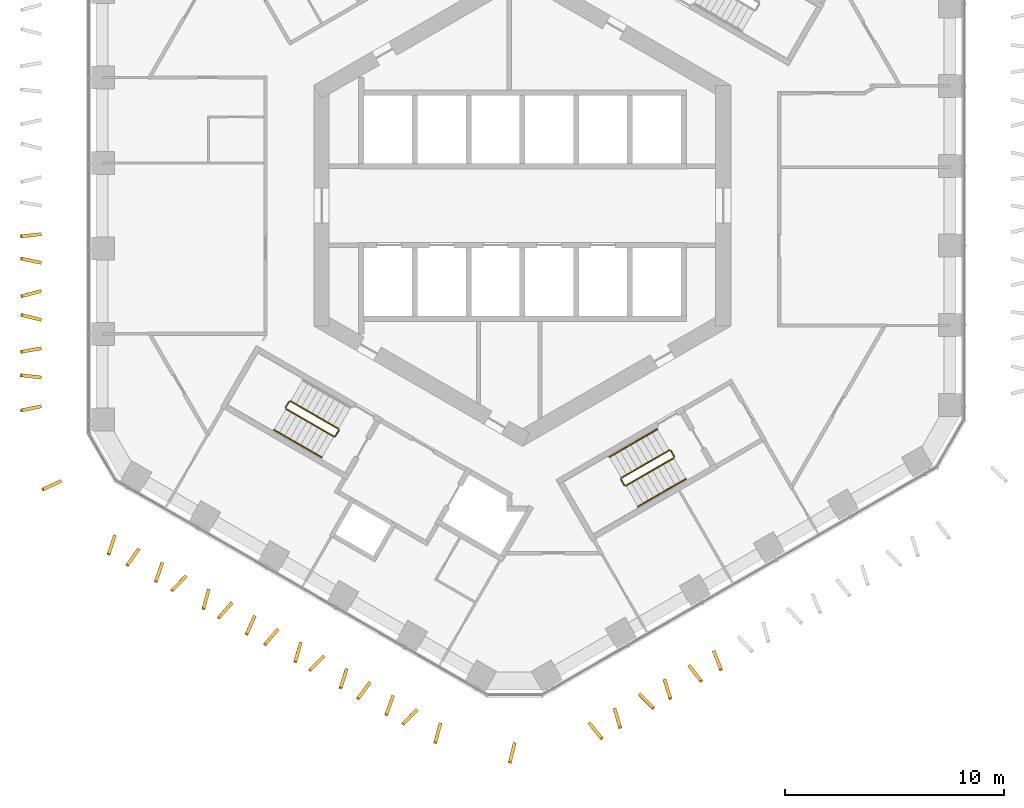
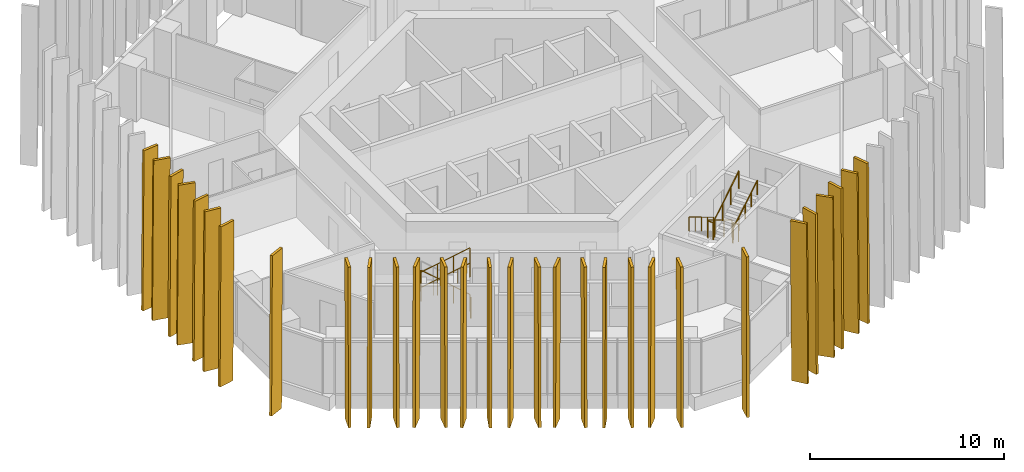
# One storey, part 17 of 19: 30 shading devices, 14 railings.
"""IFC4 building model written with IfcOpenShell, lengths in metres."""

from ifc_helpers import new_model, si_unit, direction, frame, origin, origin_2d, place, context, subcontext, project, spatial, polyline, circle, outline, extrude, material, layer, layer_set, type_object, element, save


model = new_model("IFC4")

# Units and contexts
model_context = context("Model", 3, precision=1e-05, world=origin(), true_north=direction((0.0, 1.0)))
body_context = subcontext(model_context, "Body", "Model", "MODEL_VIEW")
ifc_project = project(units=[si_unit("LENGTHUNIT", "METRE"), si_unit("AREAUNIT", "SQUARE_METRE"), si_unit("VOLUMEUNIT", "CUBIC_METRE"), si_unit("PLANEANGLEUNIT", "RADIAN"), si_unit("MASSUNIT", "GRAM", prefix="KILO")], contexts=[model_context])

# Site, building, storey
site_placement = place(None, origin())
site = spatial("IfcSite", under=ifc_project, at=site_placement, CompositionType="ELEMENT")
building_placement = place(site_placement, origin())
building = spatial("IfcBuilding", under=site, at=building_placement, Name="Ayvan Gate Tower", CompositionType="ELEMENT")
storey_placement = place(building_placement, frame((0.0, 0.0, 103.5)))
storey = spatial("IfcBuildingStorey", under=building, at=storey_placement, Name="L27", CompositionType="ELEMENT", Elevation=103.5)

# Shading devices
ifc_material_1 = material(Name="Bronze anodised aluminium", Category="aluminium")
ifc_layer = layer(ifc_material_1, 0.14990234375)
ifc_layer_set = layer_set([ifc_layer], Name="Bronze anodised aluminium")
shading_device_type = type_object("IfcShadingDeviceType", Name="Bronze fin 900 x 150", PredefinedType="USERDEFINED", material=ifc_layer_set)
shading_device_1_placement = place(storey_placement, frame((-21.99365234375, -1.227783203125, 0.0), z_axis=(-0.112024119388, 0.993705475492, 0.00015700969), x_axis=(-0.993705487741, -0.112024120769, -2.385e-09)))
element("IfcShadingDevice", 1, at=shading_device_1_placement, inside=storey, type_object=shading_device_type, Name="Bronze fin FG09.3.25", ObjectType="FIN", PredefinedType="USERDEFINED", context=body_context, shape_type="SweptSolid", body=[
    extrude(outline(polyline([(0.0, 0.0), (0.9001960129295483, 0.0), (0.8293723772913518, 10.080078251225418), (-0.07058103175935347, 10.080078246931839), (0.0, 0.0)])), origin(), (0.0, 0.0, -1.0), 0.14990234375),
])
shading_device_2_placement = place(storey_placement, frame((-21.969482421875, -2.517822265625, 0.0), z_axis=(0.205600362684, 0.978636027127, 0.000131428965), x_axis=(-0.978636035579, 0.205600364459, 0.0)))
element("IfcShadingDevice", 2, at=shading_device_2_placement, inside=storey, type_object=shading_device_type, Name="Bronze fin FG09.3.26", ObjectType="FIN", PredefinedType="USERDEFINED", context=body_context, shape_type="SweptSolid", body=[
    extrude(outline(polyline([(0.0, 0.0), (0.9000888409741108, 0.0), (0.8292104176931605, 10.080078212059483), (-0.07087842328095026, 10.080078212059483), (0.0, 0.0)])), origin(), (0.0, 0.0, -1.0), 0.14990234375),
])
shading_device_3_placement = place(storey_placement, frame((-22.003662109375, -3.83154296875, 0.0), z_axis=(-0.25553464996, 0.966799885835, 0.000153031851), x_axis=(-0.966799897156, -0.255534652952, 0.0)))
element("IfcShadingDevice", 3, at=shading_device_3_placement, inside=storey, type_object=shading_device_type, Name="Bronze fin FG09.3.27", ObjectType="FIN", PredefinedType="USERDEFINED", context=body_context, shape_type="SweptSolid", body=[
    extrude(outline(polyline([(0.0, 0.0), (0.8999971866563695, 1.3552527156068805e-20), (0.8291930051625447, 10.080078243031403), (-0.07080418149382472, 10.080078243031403), (0.0, 0.0)])), origin(), (0.0, 0.0, -1.0), 0.14990234375),
])
shading_device_4_placement = place(storey_placement, frame((-21.96630859375, -5.114501953125, 0.0), z_axis=(0.244258460062, 0.969710155159, 0.000140245545), x_axis=(-0.969710164697, 0.244258462461, 1.8445e-08)))
element("IfcShadingDevice", 4, at=shading_device_4_placement, inside=storey, type_object=shading_device_type, Name="Bronze fin FG09.3.28", ObjectType="FIN", PredefinedType="USERDEFINED", context=body_context, shape_type="SweptSolid", body=[
    extrude(outline(polyline([(0.0, 0.0), (0.9000357556166412, -3.3881317890172014e-21), (0.8292150213148057, 10.080078208836623), (-0.0708803677155223, 10.080078242040244), (0.0, 0.0)])), origin(), (0.0, 0.0, -1.0), 0.14990234375),
])
shading_device_5_placement = place(storey_placement, frame((-21.998291015625, -6.43603515625, 0.0), z_axis=(-0.175100531287, 0.984550547337, 0.000153889819), x_axis=(-0.984550558995, -0.175100533358, -1.6898e-08)))
element("IfcShadingDevice", 5, at=shading_device_5_placement, inside=storey, type_object=shading_device_type, Name="Bronze fin FG09.3.29", ObjectType="FIN", PredefinedType="USERDEFINED", context=body_context, shape_type="SweptSolid", body=[
    extrude(outline(polyline([(0.0, 0.0), (0.8998715387230125, -3.3881317890172014e-21), (0.8292449320297457, 10.080078258370987), (-0.07090972463573583, 10.080078227954553), (0.0, 0.0)])), origin(), (0.0, 0.0, -1.0), 0.14990234375),
])
shading_device_6_placement = place(storey_placement, frame((-21.97705078125, -7.7470703125, 0.0), z_axis=(0.111220487404, 0.993795745376, 0.000140194444), x_axis=(-0.993795755142, 0.111220488497, -2.115e-09)))
element("IfcShadingDevice", 6, at=shading_device_6_placement, inside=storey, type_object=shading_device_type, Name="Bronze fin FG09.3.30", ObjectType="FIN", PredefinedType="USERDEFINED", context=body_context, shape_type="SweptSolid", body=[
    extrude(outline(polyline([(0.0, 0.0), (0.899871643400718, 0.0), (0.8292061532591716, 10.08007822581327), (-0.07090811605832925, 10.080078222005996), (0.0, 0.0)])), origin(), (0.0, 0.0, -1.0), 0.14990234375),
])
shading_device_7_placement = place(storey_placement, frame((-22.000244140625, -9.07861328125, 0.0), z_axis=(-0.206119825045, 0.978526748371, 0.000142988416), x_axis=(-0.978526758374, -0.206119827152, 0.0)))
element("IfcShadingDevice", 7, at=shading_device_7_placement, inside=storey, type_object=shading_device_type, Name="Bronze fin FG09.3.31", ObjectType="FIN", PredefinedType="USERDEFINED", context=body_context, shape_type="SweptSolid", body=[
    extrude(outline(polyline([(0.0, 0.0), (0.900189358606097, -3.3881317890172014e-21), (0.8293859902460069, 10.080078228047064), (-0.07080336836009007, 10.080078228047064), (0.0, 0.0)])), origin(), (0.0, 0.0, -1.0), 0.14990234375),
])
shading_device_8_placement = place(storey_placement, frame((-21.097412109375, -12.502197265625, 0.0), z_axis=(-0.413813158986, 0.910361823374, 0.000141393904), x_axis=(-0.910361832476, -0.41381316312, -1.7459e-08)))
element("IfcShadingDevice", 8, at=shading_device_8_placement, inside=storey, type_object=shading_device_type, Name="Bronze fin FG09.4.32", ObjectType="FIN", PredefinedType="USERDEFINED", context=body_context, shape_type="SweptSolid", body=[
    extrude(outline(polyline([(0.0, 0.0), (0.8999607869986923, 6.776263578034403e-21), (0.8293231725208962, 10.080078240241201), (-0.07073864308207349, 10.08007820881375), (0.0, 0.0)])), origin(), (0.0, 0.0, -1.0), 0.14990234375),
])
shading_device_9_placement = place(storey_placement, frame((-18.653564453125, -15.044677734375, 0.0), z_axis=(-0.94787994933, 0.318627647535, 0.000154544353), x_axis=(-0.318627651343, -0.947879960649, -1.987e-08)))
element("IfcShadingDevice", 9, at=shading_device_9_placement, inside=storey, type_object=shading_device_type, Name="Bronze fin FG09.5.33", ObjectType="FIN", PredefinedType="USERDEFINED", context=body_context, shape_type="SweptSolid", body=[
    extrude(outline(polyline([(0.0, 0.0), (0.8999707209069985, 0.0), (0.8290927455372965, 10.080078261849783), (-0.07080018541576093, 10.080078226087291), (0.0, 0.0)])), origin(), (0.0, 0.0, -1.0), 0.14990234375),
])
shading_device_10_placement = place(storey_placement, frame((-17.5703125, -15.64501953125, 0.0), z_axis=(-0.812200130925, 0.583378884954, 0.000154645939), x_axis=(-0.583378891928, -0.812200140638, 1.7038e-08)))
element("IfcShadingDevice", 10, at=shading_device_10_placement, inside=storey, type_object=shading_device_type, Name="Bronze fin FG09.5.34", ObjectType="FIN", PredefinedType="USERDEFINED", context=body_context, shape_type="SweptSolid", body=[
    extrude(outline(polyline([(0.0, 0.0), (0.8999003512490824, 0.0), (0.8291147906141006, 10.080078231407974), (-0.07092798712226887, 10.080078262075306), (0.0, 0.0)])), origin(), (0.0, 0.0, -1.0), 0.14990234375),
])
shading_device_11_placement = place(storey_placement, frame((-16.490966796875, -16.29248046875, 0.0), z_axis=(-0.943928107383, 0.330151029368, 0.000160934472), x_axis=(-0.330151033644, -0.943928119606, -7.208e-09)))
element("IfcShadingDevice", 11, at=shading_device_11_placement, inside=storey, type_object=shading_device_type, Name="Bronze fin FG09.5.35", ObjectType="FIN", PredefinedType="USERDEFINED", context=body_context, shape_type="SweptSolid", body=[
    extrude(outline(polyline([(0.0, 0.0), (0.8998339199354596, 0.0), (0.8291600372583887, 10.080078261513046), (-0.07090433387814665, 10.080078248539538), (0.0, 0.0)])), origin(), (0.0, 0.0, -1.0), 0.14990234375),
])
shading_device_12_placement = place(storey_placement, frame((-15.420654296875, -16.8720703125, 0.0), z_axis=(-0.71425893742, 0.699881526222, 0.000139886897), x_axis=(-0.69988153307, -0.714258944408, 0.0)))
element("IfcShadingDevice", 12, at=shading_device_12_placement, inside=storey, type_object=shading_device_type, Name="Bronze fin FG09.5.36", ObjectType="FIN", PredefinedType="USERDEFINED", context=body_context, shape_type="SweptSolid", body=[
    extrude(outline(polyline([(0.0, 0.0), (0.8999849013545551, 0.0), (0.8292158478730067, 10.080078223625222), (-0.07076905348154848, 10.080078223625222), (0.0, 0.0)])), origin(), (0.0, 0.0, -1.0), 0.14990234375),
])
shading_device_13_placement = place(storey_placement, frame((-14.378173828125, -17.517333984375, 0.0), z_axis=(-0.964248712916, 0.26499887272, 0.000130757311), x_axis=(-0.264998874985, -0.964248721159, 0.0)))
element("IfcShadingDevice", 13, at=shading_device_13_placement, inside=storey, type_object=shading_device_type, Name="Bronze fin FG09.5.37", ObjectType="FIN", PredefinedType="USERDEFINED", context=body_context, shape_type="SweptSolid", body=[
    extrude(outline(polyline([(0.0, 0.0), (0.9000996349073335, 3.3881317890172014e-21), (0.8293498662962591, 10.08007821117194), (-0.07074976861107447, 10.08007821117194), (0.0, 0.0)])), origin(), (0.0, 0.0, -1.0), 0.14990234375),
])
shading_device_14_placement = place(storey_placement, frame((-13.326904296875, -18.0859375, 0.0), z_axis=(-0.750767321871, 0.660566731257, 0.000148212506), x_axis=(-0.660566738514, -0.750767330115, -1.3281e-08)))
element("IfcShadingDevice", 14, at=shading_device_14_placement, inside=storey, type_object=shading_device_type, Name="Bronze fin FG09.5.38", ObjectType="FIN", PredefinedType="USERDEFINED", context=body_context, shape_type="SweptSolid", body=[
    extrude(outline(polyline([(0.0, 0.0), (0.899866506521383, 0.0), (0.8292158545651408, 10.080078246727158), (-0.0708339447614461, 10.08007822282232), (0.0, 0.0)])), origin(), (0.0, 0.0, -1.0), 0.14990234375),
])
shading_device_15_placement = place(storey_placement, frame((-12.28369140625, -18.71435546875, 0.0), z_axis=(-0.912012833251, 0.410161631135, 0.000168315695), x_axis=(-0.410161636945, -0.91201284617, 0.0)))
element("IfcShadingDevice", 15, at=shading_device_15_placement, inside=storey, type_object=shading_device_type, Name="Bronze fin FG09.5.39", ObjectType="FIN", PredefinedType="USERDEFINED", context=body_context, shape_type="SweptSolid", body=[
    extrude(outline(polyline([(0.0, 0.0), (0.8999881796590448, 0.0), (0.829356940042731, 10.080078267785183), (-0.0706312396163139, 10.080078267785183), (0.0, 0.0)])), origin(), (0.0, 0.0, -1.0), 0.14990234375),
])
shading_device_16_placement = place(storey_placement, frame((-11.232177734375, -19.296630859375, 0.0), z_axis=(-0.76065270094, 0.649159027585, 0.000159552929), x_axis=(-0.649159035848, -0.760652710622, 0.0)))
element("IfcShadingDevice", 16, at=shading_device_16_placement, inside=storey, type_object=shading_device_type, Name="Bronze fin FG09.5.40", ObjectType="FIN", PredefinedType="USERDEFINED", context=body_context, shape_type="SweptSolid", body=[
    extrude(outline(polyline([(0.0, 0.0), (0.8999774837326424, 0.0), (0.8292771225478132, 10.080078253304967), (-0.07070036118482921, 10.080078253304967), (0.0, 0.0)])), origin(), (0.0, 0.0, -1.0), 0.14990234375),
])
shading_device_17_placement = place(storey_placement, frame((-10.18798828125, -19.936279296875, 0.0), z_axis=(-0.962616674845, 0.270867338265, 0.000149569431), x_axis=(-0.270867341293, -0.962616685613, 1.4036e-08)))
element("IfcShadingDevice", 17, at=shading_device_17_placement, inside=storey, type_object=shading_device_type, Name="Bronze fin FG09.5.41", ObjectType="FIN", PredefinedType="USERDEFINED", context=body_context, shape_type="SweptSolid", body=[
    extrude(outline(polyline([(0.0, 0.0), (0.8998265642494869, 6.776263578034403e-21), (0.8291729756103798, 10.080078226112533), (-0.07095473220036334, 10.080078251376662), (0.0, 0.0)])), origin(), (0.0, 0.0, -1.0), 0.14990234375),
])
shading_device_18_placement = place(storey_placement, frame((-9.134765625, -20.500732421875, 0.0), z_axis=(-0.710421863376, 0.70377606893, 0.000144356534), x_axis=(-0.703776076265, -0.710421870776, -1.3908e-08)))
element("IfcShadingDevice", 18, at=shading_device_18_placement, inside=storey, type_object=shading_device_type, Name="Bronze fin FG09.5.42", ObjectType="FIN", PredefinedType="USERDEFINED", context=body_context, shape_type="SweptSolid", body=[
    extrude(outline(polyline([(0.0, 0.0), (0.9001205560230299, -1.3552527156068805e-20), (0.8291745130380924, 10.080078241560507), (-0.07077422265381807, 10.080078216525289), (0.0, 0.0)])), origin(), (0.0, 0.0, -1.0), 0.14990234375),
])
shading_device_19_placement = place(storey_placement, frame((-8.093017578125, -21.14208984375, 0.0), z_axis=(-0.949116400041, 0.314925447399, 0.000147491854), x_axis=(-0.314925450824, -0.949116410365, 0.0)))
element("IfcShadingDevice", 19, at=shading_device_19_placement, inside=storey, type_object=shading_device_type, Name="Bronze fin FG09.5.43", ObjectType="FIN", PredefinedType="USERDEFINED", context=body_context, shape_type="SweptSolid", body=[
    extrude(outline(polyline([(0.0, 0.0), (0.9000455977227162, -6.776263578034403e-21), (0.8293286668732406, 10.08007823464024), (-0.07071693084947557, 10.08007823464024), (0.0, 0.0)])), origin(), (0.0, 0.0, -1.0), 0.14990234375),
])
shading_device_20_placement = place(storey_placement, frame((-7.04345703125, -21.721923828125, 0.0), z_axis=(-0.807361289611, 0.590057394121, 0.000140290858), x_axis=(-0.590057399927, -0.807361297556, 0.0)))
element("IfcShadingDevice", 20, at=shading_device_20_placement, inside=storey, type_object=shading_device_type, Name="Bronze fin FG09.5.44", ObjectType="FIN", PredefinedType="USERDEFINED", context=body_context, shape_type="SweptSolid", body=[
    extrude(outline(polyline([(0.0, 0.0), (0.8999223794843823, -1.3552527156068805e-20), (0.8290360117786688, 10.080078224195656), (-0.07088636770571341, 10.080078224195656), (0.0, 0.0)])), origin(), (0.0, 0.0, -1.0), 0.14990234375),
])
shading_device_21_placement = place(storey_placement, frame((-5.981201171875, -22.359375, 0.0), z_axis=(-0.941046371485, 0.338277551237, 0.0001582514), x_axis=(-0.338277555473, -0.941046383269, 0.0)))
element("IfcShadingDevice", 21, at=shading_device_21_placement, inside=storey, type_object=shading_device_type, Name="Bronze fin FG09.5.45", ObjectType="FIN", PredefinedType="USERDEFINED", context=body_context, shape_type="SweptSolid", body=[
    extrude(outline(polyline([(0.0, 0.0), (0.899980960750526, -6.776263578034403e-21), (0.8293600161089838, 10.080078251220248), (-0.07062094464154234, 10.080078251220248), (0.0, 0.0)])), origin(), (0.0, 0.0, -1.0), 0.14990234375),
])
shading_device_22_placement = place(storey_placement, frame((-4.89453125, -22.94970703125, 0.0), z_axis=(-0.716337354729, 0.69775409065, 0.000152317259), x_axis=(-0.697754098743, -0.71633736304, 1.4415e-08)))
element("IfcShadingDevice", 22, at=shading_device_22_placement, inside=storey, type_object=shading_device_type, Name="Bronze fin FG09.5.46", ObjectType="FIN", PredefinedType="USERDEFINED", context=body_context, shape_type="SweptSolid", body=[
    extrude(outline(polyline([(0.0, 0.0), (0.9000172162490438, 0.0), (0.8290779278362456, 10.080078229980618), (-0.07076440136127486, 10.08007825592536), (0.0, 0.0)])), origin(), (0.0, 0.0, -1.0), 0.14990234375),
])
shading_device_23_placement = place(storey_placement, frame((-3.818359375, -23.6142578125, 0.0), z_axis=(-0.964569471997, 0.263828944316, 0.000147757713), x_axis=(-0.2638289472, -0.964569482525, -2.4623e-08)))
element("IfcShadingDevice", 23, at=shading_device_23_placement, inside=storey, type_object=shading_device_type, Name="Bronze fin FG09.5.47", ObjectType="FIN", PredefinedType="USERDEFINED", context=body_context, shape_type="SweptSolid", body=[
    extrude(outline(polyline([(0.0, 0.0), (0.8998413271492762, 0.0), (0.8290285499577037, 10.080078255448681), (-0.07098385642382969, 10.08007821113164), (0.0, 0.0)])), origin(), (0.0, 0.0, -1.0), 0.14990234375),
])
shading_device_24_placement = place(storey_placement, frame((-0.436279296875, -24.510498046875, 0.0), z_axis=(-0.970571905716, 0.240811452704, 0.000141711202), x_axis=(-0.240811455125, -0.970571915461, -1.8659e-08)))
element("IfcShadingDevice", 24, at=shading_device_24_placement, inside=storey, type_object=shading_device_type, Name="Bronze fin FG09.6.48", ObjectType="FIN", PredefinedType="USERDEFINED", context=body_context, shape_type="SweptSolid", body=[
    extrude(outline(polyline([(0.0, 0.0), (0.8997989047248666, 0.0), (0.8289828458074738, 10.080078241682676), (-0.0707572670582314, 10.080078208104448), (0.0, 0.0)])), origin(), (0.0, 0.0, -1.0), 0.14990234375),
])
shading_device_25_placement = place(storey_placement, frame((3.01806640625, -23.6572265625, 0.0), z_axis=(-0.778601122005, -0.627519141528, 0.000140814373), x_axis=(0.62751914775, -0.778601129724, -2.886e-09)))
element("IfcShadingDevice", 25, at=shading_device_25_placement, inside=storey, type_object=shading_device_type, Name="Bronze fin FG09.7.49", ObjectType="FIN", PredefinedType="USERDEFINED", context=body_context, shape_type="SweptSolid", body=[
    extrude(outline(polyline([(0.0, 0.0), (0.8999113845344087, 0.0), (0.8292642490343037, 10.080078227330471), (-0.07099042658347238, 10.080078222135509), (0.0, 0.0)])), origin(), (0.0, 0.0, -1.0), 0.14990234375),
])
shading_device_26_placement = place(storey_placement, frame((4.13720703125, -22.976806640625, 0.0), z_axis=(-0.958986700786, -0.283451025971, 0.000153593599), x_axis=(0.283451029316, -0.958986712098, 5.905e-09)))
element("IfcShadingDevice", 26, at=shading_device_26_placement, inside=storey, type_object=shading_device_type, Name="Bronze fin FG09.7.50", ObjectType="FIN", PredefinedType="USERDEFINED", context=body_context, shape_type="SweptSolid", body=[
    extrude(outline(polyline([(0.0, 0.0), (0.8999571174072549, 0.0), (0.8293762270052386, 10.080078239001846), (-0.07081501801727462, 10.0800782496322), (0.0, 0.0)])), origin(), (0.0, 0.0, -1.0), 0.14990234375),
])
shading_device_27_placement = place(storey_placement, frame((5.312744140625, -22.340576171875, 0.0), z_axis=(-0.707513586672, -0.706699729018, 0.000132968718), x_axis=(0.706699735266, -0.707513592926, 0.0)))
element("IfcShadingDevice", 27, at=shading_device_27_placement, inside=storey, type_object=shading_device_type, Name="Bronze fin FG09.7.51", ObjectType="FIN", PredefinedType="USERDEFINED", context=body_context, shape_type="SweptSolid", body=[
    extrude(outline(polyline([(0.0, 0.0), (0.899938540214543, 0.0), (0.8291580256369091, 10.080078214111321), (-0.07078051457763401, 10.080078214111321), (0.0, 0.0)])), origin(), (0.0, 0.0, -1.0), 0.14990234375),
])
shading_device_28_placement = place(storey_placement, frame((6.41552734375, -21.662841796875, 0.0), z_axis=(-0.954533041812, -0.298105090353, 0.000164906919), x_axis=(0.298105094406, -0.954533054791, 0.0)))
element("IfcShadingDevice", 28, at=shading_device_28_placement, inside=storey, type_object=shading_device_type, Name="Bronze fin FG09.7.52", ObjectType="FIN", PredefinedType="USERDEFINED", context=body_context, shape_type="SweptSolid", body=[
    extrude(outline(polyline([(0.0, 0.0), (0.9000535445709814, 0.0), (0.8292129367000713, 10.080078262060297), (-0.07084060787091014, 10.080078262060297), (0.0, 0.0)])), origin(), (0.0, 0.0, -1.0), 0.14990234375),
])
shading_device_29_placement = place(storey_placement, frame((7.5625, -21.03173828125, 0.0), z_axis=(-0.792714737885, -0.609592750181, 0.000152532664), x_axis=(0.609592757272, -0.792714747107, 0.0)))
element("IfcShadingDevice", 29, at=shading_device_29_placement, inside=storey, type_object=shading_device_type, Name="Bronze fin FG09.7.53", ObjectType="FIN", PredefinedType="USERDEFINED", context=body_context, shape_type="SweptSolid", body=[
    extrude(outline(polyline([(0.0, 0.0), (0.8999188028901255, -1.3552527156068805e-20), (0.8290337430576282, 10.080078242262628), (-0.07088505983249727, 10.080078242262628), (0.0, 0.0)])), origin(), (0.0, 0.0, -1.0), 0.14990234375),
])
shading_device_30_placement = place(storey_placement, frame((8.669189453125, -20.36767578125, 0.0), z_axis=(-0.933062142761, -0.35971519154, 0.000136825169), x_axis=(0.359715194906, -0.933062151496, -6.675e-09)))
element("IfcShadingDevice", 30, at=shading_device_30_placement, inside=storey, type_object=shading_device_type, Name="Bronze fin FG09.7.54", ObjectType="FIN", PredefinedType="USERDEFINED", context=body_context, shape_type="SweptSolid", body=[
    extrude(outline(polyline([(0.0, 0.0), (0.9000771849586129, 0.0), (0.8291938726407843, 10.08007822489013), (-0.07065551394099873, 10.080078212875515), (0.0, 0.0)])), origin(), (0.0, 0.0, -1.0), 0.14990234375),
])

# Railings
ifc_material_2 = material(Name="Stainless steel balustrade", Category="steel")
railing_type_1 = type_object("IfcRailingType", Name="RL-GUARD-1100", PredefinedType="GUARDRAIL", material=ifc_material_2)
railing_1_placement = place(storey_placement, frame((-8.381103515625, -10.16650390625, 0.169921875)))
element("IfcRailing", 31, at=railing_1_placement, inside=storey, type_object=railing_type_1, Name="L27 STS2 stair guard 1", PredefinedType="GUARDRAIL", context=body_context, shape_type="SweptSolid", body=[
    extrude(circle(Radius=0.02392578125, at=origin_2d()), frame((0.0, 0.0, 1.076171875), z_axis=(-0.740261155115, 0.427395438142, 0.518986090067), x_axis=(-0.500004791531, -0.866022637375, 0.0)), (0.0, 0.0, 1.0), 2.947998046875),
    extrude(circle(Radius=0.02099609375, at=origin_2d()), origin(), (0.0, 0.0, 1.0), 1.052001953125),
    extrude(circle(Radius=0.02099609375, at=origin_2d()), frame((-0.7275390625, 0.419921875, 0.510009765625)), (0.0, 0.0, 1.0), 1.052001953125),
    extrude(circle(Radius=0.02099609375, at=origin_2d()), frame((-1.454833984375, 0.840087890625, 1.02001953125)), (0.0, 0.0, 1.0), 1.052001953125),
    extrude(circle(Radius=0.02099609375, at=origin_2d()), frame((-2.182373046875, 1.260009765625, 1.530029296875)), (0.0, 0.0, 1.0), 1.052001953125),
])
railing_2_placement = place(storey_placement, frame((-10.6318359375, -8.9248046875, 1.699951171875)))
element("IfcRailing", 32, at=railing_2_placement, inside=storey, type_object=railing_type_1, Name="L27 STS2 stair guard 2", PredefinedType="GUARDRAIL", context=body_context, shape_type="SweptSolid", body=[
    extrude(circle(Radius=0.02392578125, at=origin_2d()), frame((0.0, 0.0, 1.076171875), z_axis=(-0.499949632511, -0.866054481515, 0.0), x_axis=(0.866054481515, -0.499949632511, 0.0)), (0.0, 0.0, 1.0), 0.31005859375),
    extrude(circle(Radius=0.02099609375, at=origin_2d()), origin(), (0.0, 0.0, 1.0), 1.052001953125),
    extrude(circle(Radius=0.02099609375, at=origin_2d()), frame((-0.155029296875, -0.2685546875, 0.0)), (0.0, 0.0, 1.0), 1.052001953125),
])
railing_3_placement = place(storey_placement, frame((-10.7685546875, -9.261474609375, 1.8701171875)))
element("IfcRailing", 33, at=railing_3_placement, inside=storey, type_object=railing_type_1, Name="L27 STS2 stair guard 3", PredefinedType="GUARDRAIL", context=body_context, shape_type="SweptSolid", body=[
    extrude(circle(Radius=0.02392578125, at=origin_2d()), frame((0.0, 0.0, 1.076171875), z_axis=(0.740292969978, -0.427413806696, 0.51892557891), x_axis=(0.500004791531, 0.866022637375, 0.0)), (0.0, 0.0, 1.0), 2.947998046875),
    extrude(circle(Radius=0.02099609375, at=origin_2d()), origin(), (0.0, 0.0, 1.0), 1.052001953125),
    extrude(circle(Radius=0.02099609375, at=origin_2d()), frame((0.7275390625, -0.419921875, 0.510009765625)), (0.0, 0.0, 1.0), 1.052001953125),
    extrude(circle(Radius=0.02099609375, at=origin_2d()), frame((1.454833984375, -0.840087890625, 1.019775390625)), (0.0, 0.0, 1.0), 1.052001953125),
    extrude(circle(Radius=0.02099609375, at=origin_2d()), frame((2.182373046875, -1.260009765625, 1.52978515625)), (0.0, 0.0, 1.0), 1.052001953125),
])
railing_4_placement = place(storey_placement, frame((-8.36279296875, -10.23486328125, 0.0)))
element("IfcRailing", 34, at=railing_4_placement, inside=storey, type_object=railing_type_1, Name="L27 STS2 stair guard 4", PredefinedType="GUARDRAIL", context=body_context, shape_type="SweptSolid", body=[
    extrude(circle(Radius=0.02392578125, at=origin_2d()), frame((0.0, 0.0, 1.076171875), z_axis=(-0.500290723946, -0.86585748916, 0.0), x_axis=(0.86585748916, -0.500290723946, 0.0)), (0.0, 0.0, 1.0), 0.309814453125),
    extrude(circle(Radius=0.02099609375, at=origin_2d()), origin(), (0.0, 0.0, 1.0), 1.052001953125),
    extrude(circle(Radius=0.02099609375, at=origin_2d()), frame((-0.155029296875, -0.268310546875, 0.0)), (0.0, 0.0, 1.0), 1.052001953125),
])
railing_5_placement = place(storey_placement, frame((6.6923828125, -11.1416015625, 0.169921875)))
element("IfcRailing", 35, at=railing_5_placement, inside=storey, type_object=railing_type_1, Name="L27 STS3 stair guard 1", PredefinedType="GUARDRAIL", context=body_context, shape_type="SweptSolid", body=[
    extrude(circle(Radius=0.02392578125, at=origin_2d()), frame((0.0, 0.0, 1.076171875), z_axis=(-0.740261155115, -0.427395438142, 0.518986090067), x_axis=(0.500004791531, -0.866022637375, 0.0)), (0.0, 0.0, 1.0), 2.947998046875),
    extrude(circle(Radius=0.02099609375, at=origin_2d()), origin(), (0.0, 0.0, 1.0), 1.052001953125),
    extrude(circle(Radius=0.02099609375, at=origin_2d()), frame((-0.7275390625, -0.419921875, 0.510009765625)), (0.0, 0.0, 1.0), 1.052001953125),
    extrude(circle(Radius=0.02099609375, at=origin_2d()), frame((-1.454833984375, -0.840087890625, 1.02001953125)), (0.0, 0.0, 1.0), 1.052001953125),
    extrude(circle(Radius=0.02099609375, at=origin_2d()), frame((-2.182373046875, -1.260009765625, 1.530029296875)), (0.0, 0.0, 1.0), 1.052001953125),
])
railing_6_placement = place(storey_placement, frame((4.49169921875, -12.4697265625, 1.699951171875)))
element("IfcRailing", 36, at=railing_6_placement, inside=storey, type_object=railing_type_1, Name="L27 STS3 stair guard 2", PredefinedType="GUARDRAIL", context=body_context, shape_type="SweptSolid", body=[
    extrude(circle(Radius=0.02392578125, at=origin_2d()), frame((0.0, 0.0, 1.076171875), z_axis=(0.499949632511, -0.866054481515, 0.0), x_axis=(0.866054481515, 0.499949632511, 0.0)), (0.0, 0.0, 1.0), 0.31005859375),
    extrude(circle(Radius=0.02099609375, at=origin_2d()), origin(), (0.0, 0.0, 1.0), 1.052001953125),
    extrude(circle(Radius=0.02099609375, at=origin_2d()), frame((0.155029296875, -0.2685546875, 0.0)), (0.0, 0.0, 1.0), 1.052001953125),
])
railing_7_placement = place(storey_placement, frame((4.715087890625, -12.756591796875, 1.8701171875)))
element("IfcRailing", 37, at=railing_7_placement, inside=storey, type_object=railing_type_1, Name="L27 STS3 stair guard 3", PredefinedType="GUARDRAIL", context=body_context, shape_type="SweptSolid", body=[
    extrude(circle(Radius=0.02392578125, at=origin_2d()), frame((0.0, 0.0, 1.076171875), z_axis=(0.740292969978, 0.427413806696, 0.51892557891), x_axis=(-0.500004791531, 0.866022637375, 0.0)), (0.0, 0.0, 1.0), 2.947998046875),
    extrude(circle(Radius=0.02099609375, at=origin_2d()), origin(), (0.0, 0.0, 1.0), 1.052001953125),
    extrude(circle(Radius=0.02099609375, at=origin_2d()), frame((0.7275390625, 0.419921875, 0.510009765625)), (0.0, 0.0, 1.0), 1.052001953125),
    extrude(circle(Radius=0.02099609375, at=origin_2d()), frame((1.454833984375, 0.840087890625, 1.019775390625)), (0.0, 0.0, 1.0), 1.052001953125),
    extrude(circle(Radius=0.02099609375, at=origin_2d()), frame((2.182373046875, 1.260009765625, 1.52978515625)), (0.0, 0.0, 1.0), 1.052001953125),
])
railing_8_placement = place(storey_placement, frame((6.7607421875, -11.159912109375, 0.0)))
element("IfcRailing", 38, at=railing_8_placement, inside=storey, type_object=railing_type_1, Name="L27 STS3 stair guard 4", PredefinedType="GUARDRAIL", context=body_context, shape_type="SweptSolid", body=[
    extrude(circle(Radius=0.02392578125, at=origin_2d()), frame((0.0, 0.0, 1.076171875), z_axis=(0.500290723946, -0.86585748916, 0.0), x_axis=(0.86585748916, 0.500290723946, 0.0)), (0.0, 0.0, 1.0), 0.309814453125),
    extrude(circle(Radius=0.02099609375, at=origin_2d()), origin(), (0.0, 0.0, 1.0), 1.052001953125),
    extrude(circle(Radius=0.02099609375, at=origin_2d()), frame((0.155029296875, -0.268310546875, 0.0)), (0.0, 0.0, 1.0), 1.052001953125),
])
railing_type_2 = type_object("IfcRailingType", Name="RL-HANDRAIL-900", PredefinedType="HANDRAIL", material=ifc_material_2)
railing_9_placement = place(storey_placement, frame((-11.318603515625, -10.214111328125, 1.8701171875)))
element("IfcRailing", 39, at=railing_9_placement, inside=storey, type_object=railing_type_2, Name="L27 STS2 stair handrail 3", PredefinedType="HANDRAIL", context=body_context, shape_type="SweptSolid", body=[
    extrude(circle(Radius=0.02392578125, at=origin_2d()), frame((0.0, 0.0, 0.8759765625), z_axis=(0.740304193401, -0.427455284825, 0.518875399983), x_axis=(0.500035496587, 0.86600490885, 0.0)), (0.0, 0.0, 1.0), 1.47412109375),
    extrude(circle(Radius=0.02099609375, at=origin_2d()), origin(), (0.0, 0.0, 1.0), 0.851806640625),
    extrude(circle(Radius=0.02099609375, at=origin_2d()), frame((0.545654296875, -0.31494140625, 0.38232421875)), (0.0, 0.0, 1.0), 0.851806640625),
    extrude(circle(Radius=0.02099609375, at=origin_2d()), frame((1.09130859375, -0.630126953125, 0.764892578125)), (0.0, 0.0, 1.0), 0.851806640625),
])
railing_10_placement = place(storey_placement, frame((-10.227294921875, -10.84423828125, 2.635009765625)))
element("IfcRailing", 40, at=railing_10_placement, inside=storey, type_object=railing_type_2, Name="L27 STS2 stair handrail 4", PredefinedType="HANDRAIL", context=body_context, shape_type="SweptSolid", body=[
    extrude(circle(Radius=0.02392578125, at=origin_2d()), frame((0.0, 0.0, 0.8759765625), z_axis=(0.740356597536, -0.427319915356, 0.518912129772), x_axis=(0.499890179513, 0.866088799389, 0.0)), (0.0, 0.0, 1.0), 1.47412109375),
    extrude(circle(Radius=0.02099609375, at=origin_2d()), origin(), (0.0, 0.0, 1.0), 0.851806640625),
    extrude(circle(Radius=0.02099609375, at=origin_2d()), frame((0.545654296875, -0.31494140625, 0.38232421875)), (0.0, 0.0, 1.0), 0.851806640625),
    extrude(circle(Radius=0.02099609375, at=origin_2d()), frame((1.09130859375, -0.6298828125, 0.764892578125)), (0.0, 0.0, 1.0), 0.851806640625),
])
railing_11_placement = place(storey_placement, frame((6.142333984375, -10.18896484375, 0.169921875)))
element("IfcRailing", 41, at=railing_11_placement, inside=storey, type_object=railing_type_2, Name="L27 STS3 stair handrail 1", PredefinedType="HANDRAIL", context=body_context, shape_type="SweptSolid", body=[
    extrude(circle(Radius=0.02392578125, at=origin_2d()), frame((0.0, 0.0, 0.8759765625), z_axis=(-0.740218099111, -0.427335577468, 0.519096782863), x_axis=(0.499974077718, -0.866040369504, 0.0)), (0.0, 0.0, 1.0), 1.473876953125),
    extrude(circle(Radius=0.02099609375, at=origin_2d()), origin(), (0.0, 0.0, 1.0), 0.851806640625),
    extrude(circle(Radius=0.02099609375, at=origin_2d()), frame((-0.54541015625, -0.31494140625, 0.382568359375)), (0.0, 0.0, 1.0), 0.851806640625),
    extrude(circle(Radius=0.02099609375, at=origin_2d()), frame((-1.091064453125, -0.6298828125, 0.76513671875)), (0.0, 0.0, 1.0), 0.851806640625),
])
railing_12_placement = place(storey_placement, frame((5.05126953125, -10.81884765625, 0.93505859375)))
element("IfcRailing", 42, at=railing_12_placement, inside=storey, type_object=railing_type_2, Name="L27 STS3 stair handrail 2", PredefinedType="HANDRAIL", context=body_context, shape_type="SweptSolid", body=[
    extrude(circle(Radius=0.02392578125, at=origin_2d()), frame((0.0, 0.0, 0.8759765625), z_axis=(-0.740304193401, -0.427455284825, 0.518875399983), x_axis=(0.500035496587, -0.86600490885, 0.0)), (0.0, 0.0, 1.0), 1.47412109375),
    extrude(circle(Radius=0.02099609375, at=origin_2d()), origin(), (0.0, 0.0, 1.0), 0.851806640625),
    extrude(circle(Radius=0.02099609375, at=origin_2d()), frame((-0.545654296875, -0.31494140625, 0.38232421875)), (0.0, 0.0, 1.0), 0.851806640625),
    extrude(circle(Radius=0.02099609375, at=origin_2d()), frame((-1.09130859375, -0.630126953125, 0.764892578125)), (0.0, 0.0, 1.0), 0.851806640625),
])
railing_13_placement = place(storey_placement, frame((5.264892578125, -13.709228515625, 1.8701171875)))
element("IfcRailing", 43, at=railing_13_placement, inside=storey, type_object=railing_type_2, Name="L27 STS3 stair handrail 3", PredefinedType="HANDRAIL", context=body_context, shape_type="SweptSolid", body=[
    extrude(circle(Radius=0.02392578125, at=origin_2d()), frame((0.0, 0.0, 0.8759765625), z_axis=(0.740304193401, 0.427455284825, 0.518875399983), x_axis=(-0.500035496587, 0.86600490885, 0.0)), (0.0, 0.0, 1.0), 1.47412109375),
    extrude(circle(Radius=0.02099609375, at=origin_2d()), origin(), (0.0, 0.0, 1.0), 0.851806640625),
    extrude(circle(Radius=0.02099609375, at=origin_2d()), frame((0.545654296875, 0.31494140625, 0.38232421875)), (0.0, 0.0, 1.0), 0.851806640625),
    extrude(circle(Radius=0.02099609375, at=origin_2d()), frame((1.09130859375, 0.630126953125, 0.764892578125)), (0.0, 0.0, 1.0), 0.851806640625),
])
railing_14_placement = place(storey_placement, frame((6.356201171875, -13.0791015625, 2.635009765625)))
element("IfcRailing", 44, at=railing_14_placement, inside=storey, type_object=railing_type_2, Name="L27 STS3 stair handrail 4", PredefinedType="HANDRAIL", context=body_context, shape_type="SweptSolid", body=[
    extrude(circle(Radius=0.02392578125, at=origin_2d()), frame((0.0, 0.0, 0.8759765625), z_axis=(0.740281741151, 0.427372318678, 0.518975765278), x_axis=(-0.499974077718, 0.866040369504, 0.0)), (0.0, 0.0, 1.0), 1.473876953125),
    extrude(circle(Radius=0.02099609375, at=origin_2d()), origin(), (0.0, 0.0, 1.0), 0.851806640625),
    extrude(circle(Radius=0.02099609375, at=origin_2d()), frame((0.54541015625, 0.31494140625, 0.38232421875)), (0.0, 0.0, 1.0), 0.851806640625),
    extrude(circle(Radius=0.02099609375, at=origin_2d()), frame((1.091064453125, 0.6298828125, 0.764892578125)), (0.0, 0.0, 1.0), 0.851806640625),
])

save(model, "model.ifc")
